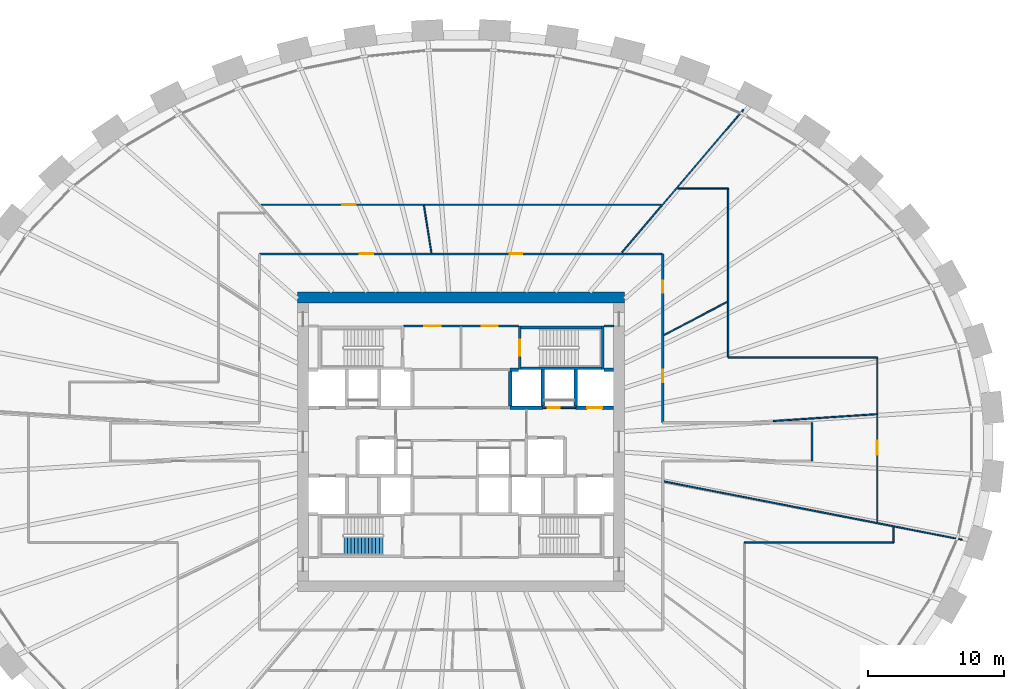
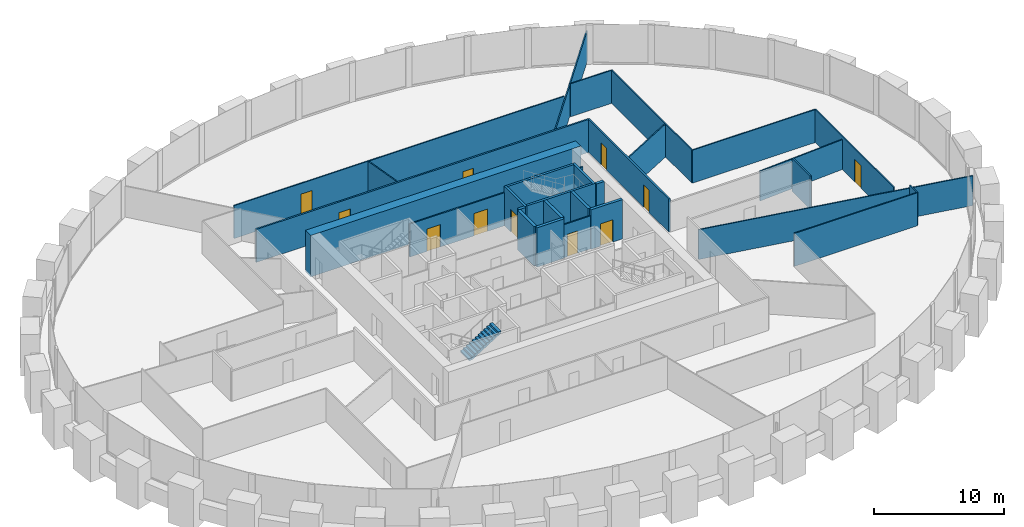
# One storey, part 9 of 11: 30 walls, 11 doors, 1 stair flight, 11 openings, 1 element without a shape of its own.
"""IFC4 building model written with IfcOpenShell, lengths in metres."""

from ifc_helpers import new_model, si_unit, direction, frame, frame_2d, origin, place, context, subcontext, project, spatial, polyline, rectangle, outline, extrude, source, transform, mapped, material, layer, layer_set, type_object, element, fill, aggregate, save


model = new_model("IFC4")

# Units and contexts
model_context = context("Model", 3, precision=1e-05, world=origin(), true_north=direction((0.0, 1.0)))
body_context = subcontext(model_context, "Body", "Model", "MODEL_VIEW")
ifc_project = project(units=[si_unit("LENGTHUNIT", "METRE"), si_unit("AREAUNIT", "SQUARE_METRE"), si_unit("VOLUMEUNIT", "CUBIC_METRE"), si_unit("PLANEANGLEUNIT", "RADIAN"), si_unit("MASSUNIT", "GRAM", prefix="KILO")], contexts=[model_context])

# Site, building, storey
site_placement = place(None, origin())
site = spatial("IfcSite", under=ifc_project, at=site_placement, CompositionType="ELEMENT")
building_placement = place(site_placement, origin())
building = spatial("IfcBuilding", under=site, at=building_placement, Name="Embergate Tower", CompositionType="ELEMENT")
storey_placement = place(building_placement, frame((0.0, 0.0, 135.89990234375)))
storey = spatial("IfcBuildingStorey", under=building, at=storey_placement, Name="L29", CompositionType="ELEMENT", Elevation=135.89990234375)

# Wall
ifc_material_1 = material(Name="Concrete C70", Category="concrete")
ifc_layer_1 = layer(ifc_material_1, 0.800048828125)
ifc_layer_set_1 = layer_set([ifc_layer_1], Name="Concrete C70")
wall_type_1 = type_object("IfcWallType", Name="Core outer wall C70 800", PredefinedType="SHEAR", material=ifc_layer_set_1)
shared_shape_1 = source(origin(), body_context, "Body", "SweptSolid", [
    extrude(rectangle(XDim=24.0, YDim=0.800048828125, at=frame_2d((12.0, 0.0))), origin(), (0.0, 0.0, 1.0), 3.900146484375),
])
wall_1_placement = place(storey_placement, frame((-12.0, 10.60009765625, -0.199951171875), z_axis=(0.0, 0.0, 1.0), x_axis=(1.0, 0.0, 0.0)))
element("IfcWall", 1, at=wall_1_placement, inside=storey, type_object=wall_type_1, Name="CW-L29-N", PredefinedType="SHEAR", context=body_context, shape_type="MappedRepresentation", body=[
    mapped(shared_shape_1, transform((0.0, 0.0, 0.0))),
])

# Wall, openings, doors
ifc_material_2 = material(Name="Core partition blockwork 120")
ifc_layer_2 = layer(ifc_material_2, 0.1201171875)
ifc_layer_set_2 = layer_set([ifc_layer_2], Name="Core partition blockwork 120")
wall_type_2 = type_object("IfcWallType", Name="Core partition blockwork 120", PredefinedType="PARTITIONING", material=ifc_layer_set_2)
shared_shape_2 = source(origin(), body_context, "Body", "SweptSolid", [
    extrude(rectangle(XDim=8.39990234375, YDim=0.1201171875, at=frame_2d((4.199951171875, 0.0))), origin(), (0.0, 0.0, 1.0), 3.10009765625),
])
wall_2_placement = place(storey_placement, frame((4.199951171875, 8.5, 0.0), z_axis=(0.0, 0.0, 1.0), x_axis=(-1.0, 0.0, 0.0)))
wall_2 = element("IfcWall", 2, at=wall_2_placement, inside=storey, type_object=wall_type_2, Name="IP-3 wall", PredefinedType="PARTITIONING", context=body_context, shape_type="MappedRepresentation", body=[
    mapped(shared_shape_2, transform((0.0, 0.0, 0.0))),
])
shared_shape_3 = source(origin(), body_context, "Body", "SweptSolid", [
    extrude(rectangle(XDim=1.199951171875, YDim=2.10009765625, at=frame_2d((0.60009765625, 1.050048828125))), frame((0.0, 0.070068359375, 0.0), z_axis=(0.0, -1.0, 0.0), x_axis=(1.0, 0.0, 0.0)), (0.0, 0.0, 1.0), 0.14013671875),
])
opening_1_placement = place(wall_2_placement, frame((5.699951171875, 0.0, 0.0)))
opening_1 = element("IfcOpeningElement", 3, at=opening_1_placement, cuts=wall_2, Name="Opening IF-3f", PredefinedType="OPENING", context=body_context, shape_type="MappedRepresentation", body=[
    mapped(shared_shape_3, transform((0.0, 0.0, 0.0))),
])
opening_2_placement = place(wall_2_placement, frame((1.5, 0.0, 0.0)))
opening_2 = element("IfcOpeningElement", 4, at=opening_2_placement, cuts=wall_2, Name="Opening IF-3f", PredefinedType="OPENING", context=body_context, shape_type="MappedRepresentation", body=[
    mapped(shared_shape_3, transform((0.0, 0.0, 0.0))),
])
ifc_material_3 = material(Name="Lobby fire door pair 1200")
door_type_1 = type_object("IfcDoorType", Name="Lobby fire door pair 1200", OperationType="DOUBLE_DOOR_SINGLE_SWING", PredefinedType="DOOR", material=ifc_material_3)
shared_shape_4 = source(origin(), body_context, "Body", "SweptSolid", [
    extrude(rectangle(XDim=1.199951171875, YDim=2.10009765625, at=frame_2d((0.60009765625, 1.050048828125))), frame((0.0, 0.02490234375, 0.0), z_axis=(0.0, -1.0, 0.0), x_axis=(1.0, 0.0, 0.0)), (0.0, 0.0, 1.0), 0.050048828125),
])
door_1_placement = place(opening_1_placement, origin())
door_1 = element("IfcDoor", 5, at=door_1_placement, inside=storey, type_object=door_type_1, Name="IF-3 door", OperationType="DOUBLE_DOOR_SINGLE_SWING", OverallHeight=2.10009765625, OverallWidth=1.199951171875, PredefinedType="DOOR", context=body_context, shape_type="MappedRepresentation", body=[
    mapped(shared_shape_4, transform((0.0, 0.0, 0.0))),
])
fill(opening_1, door_1)
door_2_placement = place(opening_2_placement, origin())
door_2 = element("IfcDoor", 6, at=door_2_placement, inside=storey, type_object=door_type_1, Name="IF-3 door", OperationType="DOUBLE_DOOR_SINGLE_SWING", OverallHeight=2.10009765625, OverallWidth=1.199951171875, PredefinedType="DOOR", context=body_context, shape_type="MappedRepresentation", body=[
    mapped(shared_shape_4, transform((0.0, 0.0, 0.0))),
])
fill(opening_2, door_2)

# Walls
ifc_material_4 = material(Name="Concrete C50", Category="concrete")
ifc_layer_3 = layer(ifc_material_4, 0.25)
ifc_layer_set_3 = layer_set([ifc_layer_3], Name="Concrete C50")
wall_type_3 = type_object("IfcWallType", Name="Hoistway wall reinforced concrete 250", PredefinedType="SHEAR", material=ifc_layer_set_3)
shared_shape_5 = source(origin(), body_context, "Body", "SweptSolid", [
    extrude(rectangle(XDim=2.675048828125, YDim=0.25, at=frame_2d((1.33740234375, 0.0))), origin(), (0.0, 0.0, 1.0), 3.7001953125),
])
for number, where, z_axis, x_axis, name in (
    (7, (6.0, 2.625, 0.0), (0.0, 0.0, 1.0), (0.0, 1.0, 0.0), "HW-1 wall"),
    (8, (8.39990234375, 2.625, 0.0), (0.0, 0.0, 1.0), (0.0, 1.0, 0.0), "HW-1 wall"),
):
    element("IfcWall", number, at=place(storey_placement, frame(where, z_axis=z_axis, x_axis=x_axis)), inside=storey, type_object=wall_type_3, Name=name, PredefinedType="SHEAR", context=body_context, shape_type="MappedRepresentation", body=[
        mapped(shared_shape_5, transform((0.0, 0.0, 0.0))),
    ])
ifc_layer_4 = layer(ifc_material_4, 0.199951171875)
ifc_layer_set_4 = layer_set([ifc_layer_4], Name="Concrete C50")
wall_type_4 = type_object("IfcWallType", Name="Stair enclosure wall reinforced concrete 250", PredefinedType="SHEAR", material=ifc_layer_set_4)
shared_shape_6 = source(origin(), body_context, "Body", "SweptSolid", [
    extrude(rectangle(XDim=6.300048828125, YDim=0.199951171875, at=frame_2d((3.14990234375, 0.0))), origin(), (0.0, 0.0, 1.0), 3.7001953125),
])
for number, where, z_axis, x_axis, name in (
    (9, (10.5, 5.39990234375, 0.0), (0.0, 0.0, 1.0), (-1.0, 0.0, 0.0), "SE-1 wall"),
    (10, (10.5, 8.39990234375, 0.0), (0.0, 0.0, 1.0), (-1.0, 0.0, 0.0), "SE-1 wall"),
):
    element("IfcWall", number, at=place(storey_placement, frame(where, z_axis=z_axis, x_axis=x_axis)), inside=storey, type_object=wall_type_4, Name=name, PredefinedType="SHEAR", context=body_context, shape_type="MappedRepresentation", body=[
        mapped(shared_shape_6, transform((0.0, 0.0, 0.0))),
    ])
shared_shape_7 = source(origin(), body_context, "Body", "SweptSolid", [
    extrude(rectangle(XDim=2.550048828125, YDim=0.25, at=frame_2d((1.27490234375, 0.0))), origin(), (0.0, 0.0, 1.0), 3.7001953125),
])
wall_3_placement = place(storey_placement, frame((3.60009765625, 5.175048828125, 0.0), z_axis=(0.0, 0.0, 1.0), x_axis=(0.0, -1.0, 0.0)))
element("IfcWall", 11, at=wall_3_placement, inside=storey, type_object=wall_type_3, Name="HW-1 wall", PredefinedType="SHEAR", context=body_context, shape_type="MappedRepresentation", body=[
    mapped(shared_shape_7, transform((0.0, 0.0, 0.0))),
])

# Wall, opening, door
shared_shape_8 = source(origin(), body_context, "Body", "SweptSolid", [
    extrude(rectangle(XDim=3.199951171875, YDim=0.199951171875, at=frame_2d((1.60009765625, 0.0))), origin(), (0.0, 0.0, 1.0), 3.7001953125),
])
wall_4_placement = place(storey_placement, frame((4.300048828125, 8.5, 0.0), z_axis=(0.0, 0.0, 1.0), x_axis=(0.0, -1.0, 0.0)))
wall_4 = element("IfcWall", 12, at=wall_4_placement, inside=storey, type_object=wall_type_4, Name="SE-1 wall", PredefinedType="SHEAR", context=body_context, shape_type="MappedRepresentation", body=[
    mapped(shared_shape_8, transform((0.0, 0.0, 0.0))),
])
shared_shape_9 = source(origin(), body_context, "Body", "SweptSolid", [
    extrude(rectangle(XDim=1.199951171875, YDim=2.10009765625, at=frame_2d((0.60009765625, 1.050048828125))), frame((0.0, 0.10986328125, 0.0), z_axis=(0.0, -1.0, 0.0), x_axis=(1.0, 0.0, 0.0)), (0.0, 0.0, 1.0), 0.219970703125),
])
opening_3_placement = place(wall_4_placement, frame((1.0, 0.0, 0.0)))
opening_3 = element("IfcOpeningElement", 13, at=opening_3_placement, cuts=wall_4, Name="Opening IF-2", PredefinedType="OPENING", context=body_context, shape_type="MappedRepresentation", body=[
    mapped(shared_shape_9, transform((0.0, 0.0, 0.0))),
])
ifc_material_5 = material(Name="Stair enclosure door 1200")
door_type_2 = type_object("IfcDoorType", Name="Stair enclosure door 1200", OperationType="SINGLE_SWING_LEFT", PredefinedType="DOOR", material=ifc_material_5)
door_3_placement = place(opening_3_placement, origin())
door_3 = element("IfcDoor", 14, at=door_3_placement, inside=storey, type_object=door_type_2, Name="IF-2 door", OperationType="SINGLE_SWING_RIGHT", OverallHeight=2.10009765625, OverallWidth=1.199951171875, PredefinedType="DOOR", context=body_context, shape_type="MappedRepresentation", body=[
    mapped(shared_shape_4, transform((0.0, 0.0, 0.0))),
])
fill(opening_3, door_3)

# Wall
shared_shape_10 = source(origin(), body_context, "Body", "SweptSolid", [
    extrude(rectangle(XDim=2.39990234375, YDim=0.25, at=frame_2d((1.199951171875, 0.0))), origin(), (0.0, 0.0, 1.0), 3.7001953125),
])
wall_5_placement = place(storey_placement, frame((3.60009765625, 2.5, 0.0), z_axis=(0.0, 0.0, 1.0), x_axis=(1.0, 0.0, 0.0)))
element("IfcWall", 15, at=wall_5_placement, inside=storey, type_object=wall_type_3, Name="HW-1 wall", PredefinedType="SHEAR", context=body_context, shape_type="MappedRepresentation", body=[
    mapped(shared_shape_10, transform((0.0, 0.0, 0.0))),
])

# Wall, openings, doors
ifc_material_6 = material(Name="Corridor wall dry-lined 150")
ifc_layer_5 = layer(ifc_material_6, 0.14990234375)
ifc_layer_set_5 = layer_set([ifc_layer_5], Name="Corridor wall dry-lined 150")
wall_type_5 = type_object("IfcWallType", Name="Corridor wall dry-lined 150", PredefinedType="PARTITIONING", material=ifc_layer_set_5)
shared_shape_11 = source(origin(), body_context, "Body", "SweptSolid", [
    extrude(rectangle(XDim=29.60009765625, YDim=0.14990234375, at=frame_2d((14.800048828125, 0.0))), origin(), (0.0, 0.0, 1.0), 3.10009765625),
])
wall_6_placement = place(storey_placement, frame((-14.800048828125, 13.800048828125, 0.0), z_axis=(0.0, 0.0, 1.0), x_axis=(1.0, 0.0, 0.0)))
wall_6 = element("IfcWall", 16, at=wall_6_placement, inside=storey, type_object=wall_type_5, Name="IP-2 wall", PredefinedType="PARTITIONING", context=body_context, shape_type="MappedRepresentation", body=[
    mapped(shared_shape_11, transform((0.0, 0.0, 0.0))),
])
shared_shape_12 = source(origin(), body_context, "Body", "SweptSolid", [
    extrude(rectangle(XDim=0.89990234375, YDim=2.10009765625, at=frame_2d((0.449951171875, 1.050048828125))), frame((0.0, 0.0849609375, 0.0), z_axis=(0.0, -1.0, 0.0), x_axis=(1.0, 0.0, 0.0)), (0.0, 0.0, 1.0), 0.169921875),
])
opening_4_placement = place(wall_6_placement, frame((18.382080078125, 0.0, 0.0)))
opening_4 = element("IfcOpeningElement", 17, at=opening_4_placement, cuts=wall_6, Name="Opening IF-1c", PredefinedType="OPENING", context=body_context, shape_type="MappedRepresentation", body=[
    mapped(shared_shape_12, transform((0.0, 0.0, 0.0))),
])
shared_shape_13 = source(origin(), body_context, "Body", "SweptSolid", [
    extrude(rectangle(XDim=1.0, YDim=2.10009765625, at=frame_2d((0.5, 1.050048828125))), frame((0.0, 0.0849609375, 0.0), z_axis=(0.0, -1.0, 0.0), x_axis=(1.0, 0.0, 0.0)), (0.0, 0.0, 1.0), 0.169921875),
])
opening_5_placement = place(wall_6_placement, frame((7.35302734375, 0.0, 0.0)))
opening_5 = element("IfcOpeningElement", 18, at=opening_5_placement, cuts=wall_6, Name="Opening ID-2", PredefinedType="OPENING", context=body_context, shape_type="MappedRepresentation", body=[
    mapped(shared_shape_13, transform((0.0, 0.0, 0.0))),
])
ifc_material_7 = material(Name="Escape fire door 900")
door_type_3 = type_object("IfcDoorType", Name="Escape fire door 900", OperationType="SINGLE_SWING_LEFT", PredefinedType="DOOR", material=ifc_material_7)
shared_shape_14 = source(origin(), body_context, "Body", "SweptSolid", [
    extrude(rectangle(XDim=0.89990234375, YDim=2.10009765625, at=frame_2d((0.449951171875, 1.050048828125))), frame((0.0, 0.02490234375, 0.0), z_axis=(0.0, -1.0, 0.0), x_axis=(1.0, 0.0, 0.0)), (0.0, 0.0, 1.0), 0.050048828125),
])
door_4_placement = place(opening_4_placement, origin())
door_4 = element("IfcDoor", 19, at=door_4_placement, inside=storey, type_object=door_type_3, Name="IF-1 door", OperationType="SINGLE_SWING_LEFT", OverallHeight=2.10009765625, OverallWidth=0.89990234375, PredefinedType="DOOR", context=body_context, shape_type="MappedRepresentation", body=[
    mapped(shared_shape_14, transform((0.0, 0.0, 0.0))),
])
fill(opening_4, door_4)
ifc_material_8 = material(Name="Interior door 1000")
door_type_4 = type_object("IfcDoorType", Name="Interior door 1000", OperationType="SINGLE_SWING_LEFT", PredefinedType="DOOR", material=ifc_material_8)
shared_shape_15 = source(origin(), body_context, "Body", "SweptSolid", [
    extrude(rectangle(XDim=1.0, YDim=2.10009765625, at=frame_2d((0.5, 1.050048828125))), frame((0.0, 0.02490234375, 0.0), z_axis=(0.0, -1.0, 0.0), x_axis=(1.0, 0.0, 0.0)), (0.0, 0.0, 1.0), 0.050048828125),
])
door_5_placement = place(opening_5_placement, origin())
door_5 = element("IfcDoor", 20, at=door_5_placement, inside=storey, type_object=door_type_4, Name="ID-2 door", OperationType="SINGLE_SWING_RIGHT", OverallHeight=2.10009765625, OverallWidth=1.0, PredefinedType="DOOR", context=body_context, shape_type="MappedRepresentation", body=[
    mapped(shared_shape_15, transform((0.0, 0.0, 0.0))),
])
fill(opening_5, door_5)

shared_shape_16 = source(origin(), body_context, "Body", "SweptSolid", [
    extrude(rectangle(XDim=12.400146484375, YDim=0.14990234375, at=frame_2d((6.2001953125, 0.0))), origin(), (0.0, 0.0, 1.0), 3.10009765625),
])
wall_7_placement = place(storey_placement, frame((14.800048828125, 1.39990234375, 0.0), z_axis=(0.0, 0.0, 1.0), x_axis=(0.0, 1.0, 0.0)))
wall_7 = element("IfcWall", 21, at=wall_7_placement, inside=storey, type_object=wall_type_5, Name="IP-2 wall", PredefinedType="PARTITIONING", context=body_context, shape_type="MappedRepresentation", body=[
    mapped(shared_shape_16, transform((0.0, 0.0, 0.0))),
])
opening_6_placement = place(wall_7_placement, frame((2.989990234375, 0.0, 0.0)))
opening_6 = element("IfcOpeningElement", 22, at=opening_6_placement, cuts=wall_7, Name="Opening IF-1c", PredefinedType="OPENING", context=body_context, shape_type="MappedRepresentation", body=[
    mapped(shared_shape_12, transform((0.0, 0.0, 0.0))),
])
opening_7_placement = place(wall_7_placement, frame((9.530029296875, 0.0, 0.0)))
opening_7 = element("IfcOpeningElement", 23, at=opening_7_placement, cuts=wall_7, Name="Opening IF-1c", PredefinedType="OPENING", context=body_context, shape_type="MappedRepresentation", body=[
    mapped(shared_shape_12, transform((0.0, 0.0, 0.0))),
])
door_6_placement = place(opening_6_placement, origin())
door_6 = element("IfcDoor", 24, at=door_6_placement, inside=storey, type_object=door_type_3, Name="IF-1 door", OperationType="SINGLE_SWING_RIGHT", OverallHeight=2.10009765625, OverallWidth=0.89990234375, PredefinedType="DOOR", context=body_context, shape_type="MappedRepresentation", body=[
    mapped(shared_shape_14, transform((0.0, 0.0, 0.0))),
])
fill(opening_6, door_6)
door_7_placement = place(opening_7_placement, origin())
door_7 = element("IfcDoor", 25, at=door_7_placement, inside=storey, type_object=door_type_3, Name="IF-1 door", OperationType="SINGLE_SWING_RIGHT", OverallHeight=2.10009765625, OverallWidth=0.89990234375, PredefinedType="DOOR", context=body_context, shape_type="MappedRepresentation", body=[
    mapped(shared_shape_14, transform((0.0, 0.0, 0.0))),
])
fill(opening_7, door_7)

# Walls
shared_shape_17 = source(origin(), body_context, "Body", "SweptSolid", [
    extrude(rectangle(XDim=2.7998046875, YDim=0.14990234375, at=frame_2d((1.39990234375, 0.0))), origin(), (0.0, 0.0, 1.0), 3.10009765625),
])
wall_8_placement = place(storey_placement, frame((25.75, -1.39990234375, 0.0), z_axis=(0.0, 0.0, 1.0), x_axis=(0.0, 1.0, 0.0)))
element("IfcWall", 26, at=wall_8_placement, inside=storey, type_object=wall_type_5, Name="IP-2 wall", PredefinedType="PARTITIONING", context=body_context, shape_type="MappedRepresentation", body=[
    mapped(shared_shape_17, transform((0.0, 0.0, 0.0))),
])
ifc_material_9 = material(Name="Partition dry-lined 100")
ifc_layer_6 = layer(ifc_material_9, 0.10009765625)
ifc_layer_set_6 = layer_set([ifc_layer_6], Name="Partition dry-lined 100")
wall_type_6 = type_object("IfcWallType", Name="Partition dry-lined 100", PredefinedType="PARTITIONING", material=ifc_layer_set_6)
shared_shape_18 = source(origin(), body_context, "Body", "SweptSolid", [
    extrude(rectangle(XDim=12.400146484375, YDim=0.10009765625, at=frame_2d((6.2001953125, 0.0))), origin(), (0.0, 0.0, 1.0), 3.10009765625),
])
wall_9_placement = place(storey_placement, frame((19.60009765625, 18.60009765625, 0.0), z_axis=(0.0, 0.0, 1.0), x_axis=(0.0, -1.0, 0.0)))
element("IfcWall", 27, at=wall_9_placement, inside=storey, type_object=wall_type_6, Name="IP-1 wall", PredefinedType="PARTITIONING", context=body_context, shape_type="MappedRepresentation", body=[
    mapped(shared_shape_18, transform((0.0, 0.0, 0.0))),
])
shared_shape_19 = source(origin(), body_context, "Body", "SweptSolid", [
    extrude(rectangle(XDim=1.135009765625, YDim=0.10009765625, at=frame_2d((0.5673828125, 0.0))), origin(), (0.0, 0.0, 1.0), 3.10009765625),
])
wall_10_placement = place(storey_placement, frame((31.75, -6.264892578125, 0.0), z_axis=(0.0, 0.0, 1.0), x_axis=(0.0, -1.0, 0.0)))
element("IfcWall", 28, at=wall_10_placement, inside=storey, type_object=wall_type_6, Name="IP-1 wall", PredefinedType="PARTITIONING", context=body_context, shape_type="MappedRepresentation", body=[
    mapped(shared_shape_19, transform((0.0, 0.0, 0.0))),
])
shared_shape_20 = source(origin(), body_context, "Body", "SweptSolid", [
    extrude(rectangle(XDim=10.949951171875, YDim=0.10009765625, at=frame_2d((5.47509765625, 0.0))), origin(), (0.0, 0.0, 1.0), 3.10009765625),
])
for number, where, z_axis, x_axis, name in (
    (29, (31.75, -7.39990234375, 0.0), (0.0, 0.0, 1.0), (-1.0, 0.0, 0.0), "IP-1 wall"),
    (30, (19.60009765625, 6.199951171875, 0.0), (0.0, 0.0, 1.0), (1.0, 0.0, 0.0), "IP-1 wall"),
):
    element("IfcWall", number, at=place(storey_placement, frame(where, z_axis=z_axis, x_axis=x_axis)), inside=storey, type_object=wall_type_6, Name=name, PredefinedType="PARTITIONING", context=body_context, shape_type="MappedRepresentation", body=[
        mapped(shared_shape_20, transform((0.0, 0.0, 0.0))),
    ])
shared_shape_21 = source(origin(), body_context, "Body", "SweptSolid", [
    extrude(rectangle(XDim=22.31396484375, YDim=0.10009765625, at=frame_2d((11.156982421875, 0.0))), origin(), (0.0, 0.0, 1.0), 2.800048828125),
])
wall_11_placement = place(storey_placement, frame((36.784912109375, -7.18798828125, 0.0), z_axis=(0.0, 0.0, 1.0), x_axis=(-0.981440850514, 0.191765108771, 0.0)))
element("IfcWall", 31, at=wall_11_placement, inside=storey, type_object=wall_type_6, Name="IP-1 wall", PredefinedType="PARTITIONING", context=body_context, shape_type="MappedRepresentation", body=[
    mapped(shared_shape_21, transform((0.0, 0.0, 0.0))),
])
shared_shape_22 = source(origin(), body_context, "Body", "SweptSolid", [
    extrude(rectangle(XDim=7.60693359375, YDim=0.10009765625, at=frame_2d((3.803466796875, 0.0))), origin(), (0.0, 0.0, 1.0), 2.800048828125),
])
wall_12_placement = place(storey_placement, frame((30.5, 2.030029296875, 0.0), z_axis=(0.0, 0.0, 1.0), x_axis=(-0.997792819876, -0.066403980325, 0.0)))
element("IfcWall", 32, at=wall_12_placement, inside=storey, type_object=wall_type_6, Name="IP-1 wall", PredefinedType="PARTITIONING", context=body_context, shape_type="MappedRepresentation", body=[
    mapped(shared_shape_22, transform((0.0, 0.0, 0.0))),
])

# Wall, opening, door
shared_shape_23 = source(origin(), body_context, "Body", "SweptSolid", [
    extrude(rectangle(XDim=12.10888671875, YDim=0.10009765625, at=frame_2d((6.054443359375, 0.0))), origin(), (0.0, 0.0, 1.0), 3.10009765625),
])
wall_13_placement = place(storey_placement, frame((30.550048828125, 6.199951171875, 0.0), z_axis=(0.0, 0.0, 1.0), x_axis=(0.0, -1.0, 0.0)))
wall_13 = element("IfcWall", 33, at=wall_13_placement, inside=storey, type_object=wall_type_6, Name="IP-1 wall", PredefinedType="PARTITIONING", context=body_context, shape_type="MappedRepresentation", body=[
    mapped(shared_shape_23, transform((0.0, 0.0, 0.0))),
])
shared_shape_24 = source(origin(), body_context, "Body", "SweptSolid", [
    extrude(rectangle(XDim=1.0, YDim=2.10009765625, at=frame_2d((0.5, 1.050048828125))), frame((0.0, 0.06005859375, 0.0), z_axis=(0.0, -1.0, 0.0), x_axis=(1.0, 0.0, 0.0)), (0.0, 0.0, 1.0), 0.1201171875),
])
opening_8_placement = place(wall_13_placement, frame((6.131103515625, 0.0, 0.0)))
opening_8 = element("IfcOpeningElement", 34, at=opening_8_placement, cuts=wall_13, Name="Opening ID-2", PredefinedType="OPENING", context=body_context, shape_type="MappedRepresentation", body=[
    mapped(shared_shape_24, transform((0.0, 0.0, 0.0))),
])
door_8_placement = place(opening_8_placement, origin())
door_8 = element("IfcDoor", 35, at=door_8_placement, inside=storey, type_object=door_type_4, Name="ID-2 door", OperationType="SINGLE_SWING_LEFT", OverallHeight=2.10009765625, OverallWidth=1.0, PredefinedType="DOOR", context=body_context, shape_type="MappedRepresentation", body=[
    mapped(shared_shape_15, transform((0.0, 0.0, 0.0))),
])
fill(opening_8, door_8)

# Walls
shared_shape_25 = source(origin(), body_context, "Body", "SweptSolid", [
    extrude(rectangle(XDim=5.22998046875, YDim=0.10009765625, at=frame_2d((2.614990234375, 0.0))), origin(), (0.0, 0.0, 1.0), 3.10009765625),
])
wall_14_placement = place(storey_placement, frame((14.89794921875, 7.837890625, 0.0), z_axis=(0.0, 0.0, 1.0), x_axis=(0.885100419457, 0.465400093981, 0.0)))
element("IfcWall", 36, at=wall_14_placement, inside=storey, type_object=wall_type_6, Name="IP-1 wall", PredefinedType="PARTITIONING", context=body_context, shape_type="MappedRepresentation", body=[
    mapped(shared_shape_25, transform((0.0, 0.0, 0.0))),
])
shared_shape_26 = source(origin(), body_context, "Body", "SweptSolid", [
    extrude(rectangle(XDim=3.691162109375, YDim=0.10009765625, at=frame_2d((1.845703125, 0.0))), origin(), (0.0, 0.0, 1.0), 3.10009765625),
])
wall_15_placement = place(storey_placement, frame((15.908935546875, 18.60009765625, 0.0), z_axis=(0.0, 0.0, 1.0), x_axis=(1.0, 0.0, 0.0)))
element("IfcWall", 37, at=wall_15_placement, inside=storey, type_object=wall_type_6, Name="IP-1 wall", PredefinedType="PARTITIONING", context=body_context, shape_type="MappedRepresentation", body=[
    mapped(shared_shape_26, transform((0.0, 0.0, 0.0))),
])
shared_shape_27 = source(origin(), body_context, "Body", "SweptSolid", [
    extrude(rectangle(XDim=3.501708984375, YDim=0.10009765625, at=frame_2d((1.7509765625, 0.0))), origin(), (0.0, 0.0, 1.0), 3.10009765625),
])
wall_16_placement = place(storey_placement, frame((-2.72900390625, 17.342041015625, 0.0), z_axis=(0.0, 0.0, 1.0), x_axis=(0.155618854848, -0.9878171754, 0.0)))
element("IfcWall", 38, at=wall_16_placement, inside=storey, type_object=wall_type_6, Name="IP-1 wall", PredefinedType="PARTITIONING", context=body_context, shape_type="MappedRepresentation", body=[
    mapped(shared_shape_27, transform((0.0, 0.0, 0.0))),
])

# Wall, opening, door
shared_shape_28 = source(origin(), body_context, "Body", "SweptSolid", [
    extrude(rectangle(XDim=29.34619140625, YDim=0.10009765625, at=frame_2d((14.673095703125, 0.0))), origin(), (0.0, 0.0, 1.0), 3.10009765625),
])
wall_17_placement = place(storey_placement, frame((-14.673095703125, 17.39990234375, 0.0), z_axis=(0.0, 0.0, 1.0), x_axis=(1.0, 0.0, 0.0)))
wall_17 = element("IfcWall", 39, at=wall_17_placement, inside=storey, type_object=wall_type_6, Name="IP-1 wall", PredefinedType="PARTITIONING", context=body_context, shape_type="MappedRepresentation", body=[
    mapped(shared_shape_28, transform((0.0, 0.0, 0.0))),
])
opening_9_placement = place(wall_17_placement, frame((5.935791015625, 0.0, 0.0)))
opening_9 = element("IfcOpeningElement", 40, at=opening_9_placement, cuts=wall_17, Name="Opening ID-2", PredefinedType="OPENING", context=body_context, shape_type="MappedRepresentation", body=[
    mapped(shared_shape_24, transform((0.0, 0.0, 0.0))),
])
door_9_placement = place(opening_9_placement, origin())
door_9 = element("IfcDoor", 41, at=door_9_placement, inside=storey, type_object=door_type_4, Name="ID-2 door", OperationType="SINGLE_SWING_RIGHT", OverallHeight=2.10009765625, OverallWidth=1.0, PredefinedType="DOOR", context=body_context, shape_type="MappedRepresentation", body=[
    mapped(shared_shape_15, transform((0.0, 0.0, 0.0))),
])
fill(opening_9, door_9)

shared_shape_29 = source(origin(), body_context, "Body", "SweptSolid", [
    extrude(rectangle(XDim=2.39990234375, YDim=0.1201171875, at=frame_2d((1.199951171875, 0.0))), origin(), (0.0, 0.0, 1.0), 3.10009765625),
])
wall_18_placement = place(storey_placement, frame((6.0, 2.5, 0.0), z_axis=(0.0, 0.0, 1.0), x_axis=(1.0, 0.0, 0.0)))
wall_18 = element("IfcWall", 42, at=wall_18_placement, inside=storey, type_object=wall_type_2, Name="IP-3 wall", PredefinedType="PARTITIONING", context=body_context, shape_type="MappedRepresentation", body=[
    mapped(shared_shape_29, transform((0.0, 0.0, 0.0))),
])
shared_shape_30 = source(origin(), body_context, "Body", "SweptSolid", [
    extrude(rectangle(XDim=0.89990234375, YDim=2.10009765625, at=frame_2d((0.449951171875, 1.050048828125))), frame((0.0, 0.070068359375, 0.0), z_axis=(0.0, -1.0, 0.0), x_axis=(1.0, 0.0, 0.0)), (0.0, 0.0, 1.0), 0.14013671875),
])
opening_10_placement = place(wall_18_placement, frame((0.35009765625, 0.0, 0.0)))
opening_10 = element("IfcOpeningElement", 43, at=opening_10_placement, cuts=wall_18, Name="Opening ID-1", PredefinedType="OPENING", context=body_context, shape_type="MappedRepresentation", body=[
    mapped(shared_shape_30, transform((0.0, 0.0, 0.0))),
])
ifc_material_10 = material(Name="Interior door 900")
door_type_5 = type_object("IfcDoorType", Name="Interior door 900", OperationType="SINGLE_SWING_LEFT", PredefinedType="DOOR", material=ifc_material_10)
door_10_placement = place(opening_10_placement, origin())
door_10 = element("IfcDoor", 44, at=door_10_placement, inside=storey, type_object=door_type_5, Name="ID-1 door", OperationType="SINGLE_SWING_LEFT", OverallHeight=2.10009765625, OverallWidth=0.89990234375, PredefinedType="DOOR", context=body_context, shape_type="MappedRepresentation", body=[
    mapped(shared_shape_14, transform((0.0, 0.0, 0.0))),
])
fill(opening_10, door_10)

# Walls
shared_shape_31 = source(origin(), body_context, "Body", "SweptSolid", [
    extrude(rectangle(XDim=0.697998046875, YDim=0.1201171875, at=frame_2d((0.34912109375, 0.0))), origin(), (0.0, 0.0, 1.0), 3.10009765625),
])
wall_19_placement = place(storey_placement, frame((10.501953125, 8.5, 0.0), z_axis=(0.0, 0.0, 1.0), x_axis=(1.0, 0.0, 0.0)))
element("IfcWall", 45, at=wall_19_placement, inside=storey, type_object=wall_type_2, Name="IP-3 wall", PredefinedType="PARTITIONING", context=body_context, shape_type="MappedRepresentation", body=[
    mapped(shared_shape_31, transform((0.0, 0.0, 0.0))),
])
shared_shape_32 = source(origin(), body_context, "Body", "SweptSolid", [
    extrude(rectangle(XDim=13.751953125, YDim=0.10009765625, at=frame_2d((6.8759765625, 0.0))), origin(), (0.0, 0.0, 1.0), 2.900146484375),
])
wall_20_placement = place(storey_placement, frame((11.81396484375, 13.906982421875, 0.0), z_axis=(0.0, 0.0, 1.0), x_axis=(0.647406181073, 0.762145154618, 0.0)))
element("IfcWall", 46, at=wall_20_placement, inside=storey, type_object=wall_type_6, Name="IP-1 wall", PredefinedType="PARTITIONING", context=body_context, shape_type="MappedRepresentation", body=[
    mapped(shared_shape_32, transform((0.0, 0.0, 0.0))),
])

# Wall, opening, door
shared_shape_33 = source(origin(), body_context, "Body", "SweptSolid", [
    extrude(rectangle(XDim=2.800048828125, YDim=0.25, at=frame_2d((1.39990234375, 0.0))), origin(), (0.0, 0.0, 1.0), 3.7001953125),
])
wall_21_placement = place(storey_placement, frame((8.39990234375, 2.5, 0.0), z_axis=(0.0, 0.0, 1.0), x_axis=(1.0, 0.0, 0.0)))
wall_21 = element("IfcWall", 47, at=wall_21_placement, inside=storey, type_object=wall_type_3, Name="HW-1 wall", PredefinedType="SHEAR", context=body_context, shape_type="MappedRepresentation", body=[
    mapped(shared_shape_33, transform((0.0, 0.0, 0.0))),
])
shared_shape_34 = source(origin(), body_context, "Body", "SweptSolid", [
    extrude(rectangle(XDim=1.10009765625, YDim=2.10009765625, at=frame_2d((0.550048828125, 1.050048828125))), frame((0.0, 0.135009765625, 0.0), z_axis=(0.0, -1.0, 0.0), x_axis=(1.0, 0.0, 0.0)), (0.0, 0.0, 1.0), 0.27001953125),
])
opening_11_placement = place(wall_21_placement, frame((0.85009765625, 0.0, 0.0)))
opening_11 = element("IfcOpeningElement", 48, at=opening_11_placement, cuts=wall_21, Name="Opening LD", PredefinedType="OPENING", context=body_context, shape_type="MappedRepresentation", body=[
    mapped(shared_shape_34, transform((0.0, 0.0, 0.0))),
])
ifc_material_11 = material(Name="Landing door sliding 1100")
door_type_6 = type_object("IfcDoorType", Name="Landing door sliding 1100", OperationType="SLIDING_TO_LEFT", PredefinedType="DOOR", material=ifc_material_11)
shared_shape_35 = source(origin(), body_context, "Body", "SweptSolid", [
    extrude(rectangle(XDim=1.10009765625, YDim=2.10009765625, at=frame_2d((0.550048828125, 1.050048828125))), frame((0.0, 0.02490234375, 0.0), z_axis=(0.0, -1.0, 0.0), x_axis=(1.0, 0.0, 0.0)), (0.0, 0.0, 1.0), 0.050048828125),
])
door_11_placement = place(opening_11_placement, origin())
door_11 = element("IfcDoor", 49, at=door_11_placement, inside=storey, type_object=door_type_6, Name="LD door", OperationType="SLIDING_TO_RIGHT", OverallHeight=2.10009765625, OverallWidth=1.10009765625, PredefinedType="DOOR", context=body_context, shape_type="MappedRepresentation", body=[
    mapped(shared_shape_35, transform((0.0, 0.0, 0.0))),
])
fill(opening_11, door_11)

# Walls
shared_shape_36 = source(origin(), body_context, "Body", "SweptSolid", [
    extrude(rectangle(XDim=0.599853515625, YDim=0.25, at=frame_2d((0.2998046875, 0.0))), origin(), (0.0, 0.0, 1.0), 3.7001953125),
])
wall_22_placement = place(storey_placement, frame((4.199951171875, 5.300048828125, 0.0), z_axis=(0.0, 0.0, 1.0), x_axis=(-1.0, 0.0, 0.0)))
element("IfcWall", 50, at=wall_22_placement, inside=storey, type_object=wall_type_3, Name="HW-1 wall", PredefinedType="SHEAR", context=body_context, shape_type="MappedRepresentation", body=[
    mapped(shared_shape_36, transform((0.0, 0.0, 0.0))),
])
shared_shape_37 = source(origin(), body_context, "Body", "SweptSolid", [
    extrude(rectangle(XDim=3.196044921875, YDim=0.199951171875, at=frame_2d((1.59814453125, 0.0))), origin(), (0.0, 0.0, 1.0), 3.7001953125),
])
wall_23_placement = place(storey_placement, frame((10.39990234375, 5.302001953125, 0.0), z_axis=(0.0, 0.0, 1.0), x_axis=(0.0, 1.0, 0.0)))
element("IfcWall", 51, at=wall_23_placement, inside=storey, type_object=wall_type_4, Name="SE-1 wall", PredefinedType="SHEAR", context=body_context, shape_type="MappedRepresentation", body=[
    mapped(shared_shape_37, transform((0.0, 0.0, 0.0))),
])
shared_shape_38 = source(origin(), body_context, "Body", "SweptSolid", [
    extrude(rectangle(XDim=0.697998046875, YDim=0.25, at=frame_2d((0.34912109375, 0.0))), origin(), (0.0, 0.0, 1.0), 3.7001953125),
])
wall_24_placement = place(storey_placement, frame((11.199951171875, 5.300048828125, 0.0), z_axis=(0.0, 0.0, 1.0), x_axis=(-1.0, 0.0, 0.0)))
element("IfcWall", 52, at=wall_24_placement, inside=storey, type_object=wall_type_3, Name="HW-1 wall", PredefinedType="SHEAR", context=body_context, shape_type="MappedRepresentation", body=[
    mapped(shared_shape_38, transform((0.0, 0.0, 0.0))),
])

# Stair, stair flight
ifc_material_12 = material(Name="Exit stair")
stair_type = type_object("IfcStairType", Name="Exit stair", PredefinedType="HALF_TURN_STAIR", material=ifc_material_12)
stair_placement = place(storey_placement, origin())
stair = element("IfcStair", 53, at=stair_placement, inside=storey, type_object=stair_type, Name="L29 Exit stair 3", PredefinedType="HALF_TURN_STAIR")
ifc_material_13 = material(Name="Concrete C40", Category="concrete")
stair_flight_type = type_object("IfcStairFlightType", Name="Stair flight reinforced concrete", PredefinedType="STRAIGHT", material=ifc_material_13)
shared_shape_39 = source(origin(), body_context, "Body", "SweptSolid", [
    extrude(outline(polyline([(0.0, 0.0), (0.0, 0.16259765625), (0.260009765625, 0.16259765625), (0.260009765625, 0.324951171875), (0.52001953125, 0.324951171875), (0.52001953125, 0.487548828125), (0.780029296875, 0.487548828125), (0.780029296875, 0.64990234375), (1.0400390625, 0.64990234375), (1.0400390625, 0.8125), (1.300048828125, 0.8125), (1.300048828125, 0.97509765625), (1.56005859375, 0.97509765625), (1.56005859375, 1.137451171875), (1.820068359375, 1.137451171875), (1.820068359375, 1.300048828125), (2.080078125, 1.300048828125), (2.080078125, 1.46240234375), (2.340087890625, 1.46240234375), (2.340087890625, 1.625), (2.60009765625, 1.625), (2.60009765625, 1.78759765625), (2.860107421875, 1.78759765625), (2.860107421875, 1.949951171875), (2.860107421875, 1.61083984375), (0.28271484375, 0.0), (0.0, 0.0)])), frame((0.0, 0.675048828125, 0.0), z_axis=(0.0, -1.0, 0.0), x_axis=(1.0, 0.0, 0.0)), (0.0, 0.0, 1.0), 1.35009765625),
])
stair_flight_placement = place(storey_placement, frame((-8.610107421875, -7.625, 1.9501953125), z_axis=(0.0, 0.0, 1.0), x_axis=(1.0, 0.0, 0.0)))
stair_flight = element("IfcStairFlight", 54, at=stair_flight_placement, type_object=stair_flight_type, Name="ST3 flight 2", NumberOfRisers=12, NumberOfTreads=11, PredefinedType="STRAIGHT", RiserHeight=0.1625, TreadLength=0.26, context=body_context, shape_type="MappedRepresentation", body=[
    mapped(shared_shape_39, transform((0.0, 0.0, 0.0))),
])
aggregate(stair, [stair_flight])

save(model, "model.ifc")
